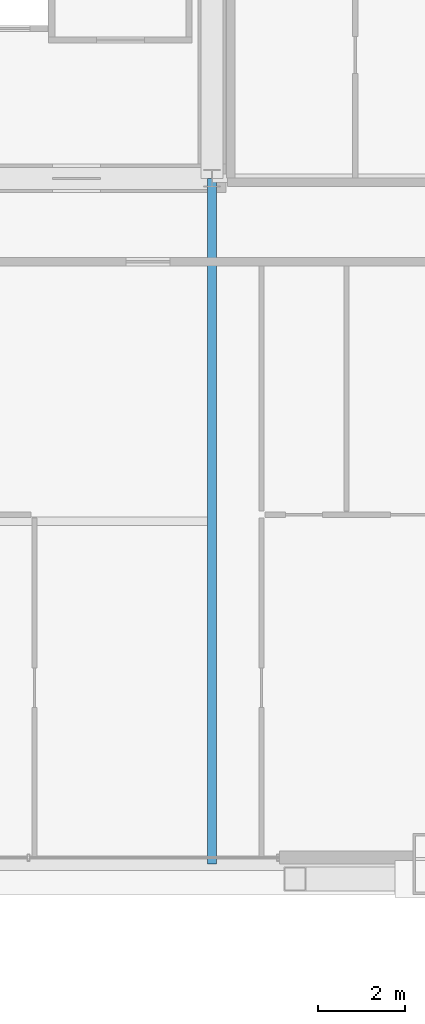
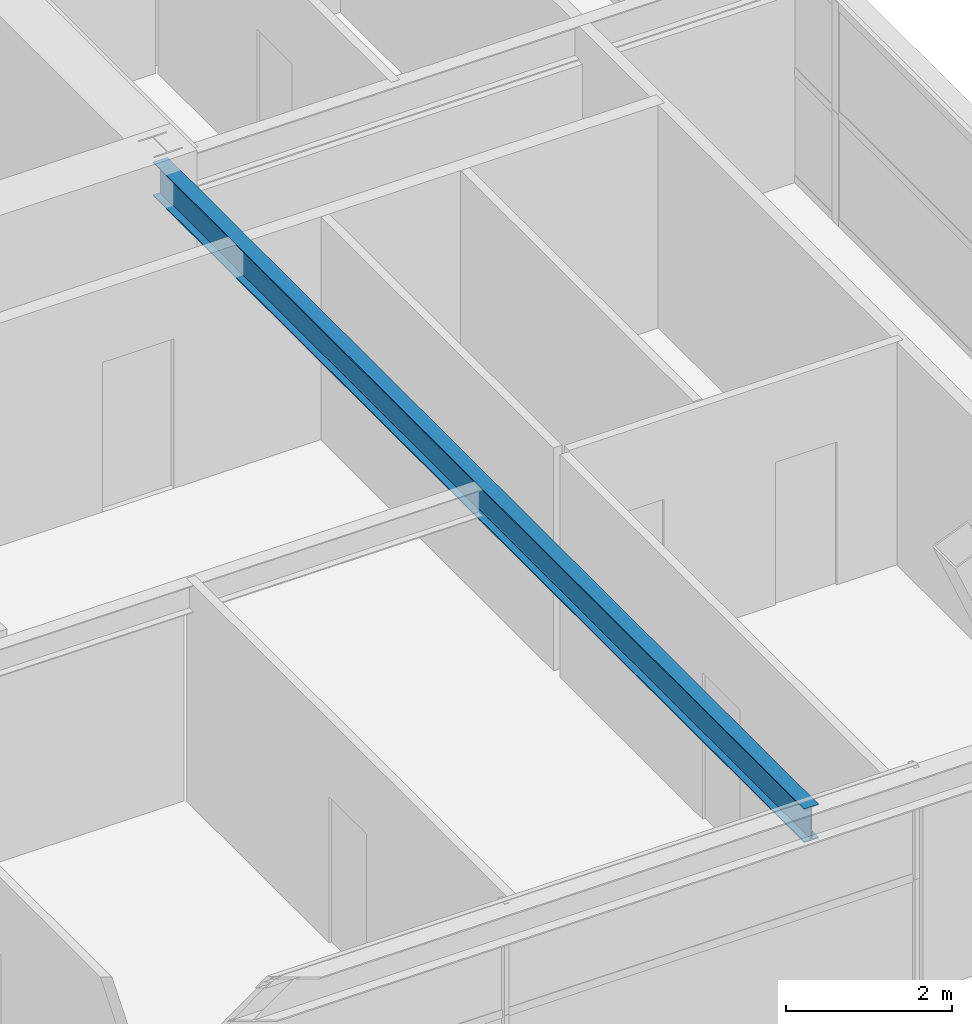
# One storey, part 21 of 45: 1 beam.
"""IFC4 building model written with IfcOpenShell, lengths in metres."""

import ifcopenshell
import ifcopenshell.guid

model = None  # the IFC model being written
_history = None  # IfcOwnerHistory: only IFC2X3 demands one
_inside = {}  # id of a spatial element -> (the spatial element, [elements in it])
_under = {}  # id of a project, library or spatial element -> (it, [spatial elements below it])
_declared = {}  # id of a project -> (the project, [libraries it declares])
_typed = {}  # id of a type object -> (the type object, [elements of that type])
_made_of = {}  # id of a material, layer set ... -> (it, [elements and type objects made of it])


def new_model(schema):
    """Start an empty IFC model of exactly this schema.

    Asked for "IFC4X3", IfcOpenShell would pick the latest addendum, in which some entities
    have other attributes; the version numbers below select the first issue.
    IFC2X3 requires an IfcOwnerHistory on every rooted entity: one is made here for all.
    """
    global model, _history
    if schema == "IFC4X3":
        model = ifcopenshell.file(schema_version=(4, 3, 0, 0))
    else:
        model = ifcopenshell.file(schema=schema)
    _inside.clear()
    _under.clear()
    _declared.clear()
    _typed.clear()
    _made_of.clear()
    _history = None
    if model.schema == "IFC2X3":
        org = make("IfcOrganization", Name="unknown")
        user = make(
            "IfcPersonAndOrganization",
            ThePerson=make("IfcPerson", FamilyName="unknown"),
            TheOrganization=org,
        )
        app = make(
            "IfcApplication",
            ApplicationDeveloper=org,
            Version="unknown",
            ApplicationFullName="unknown",
            ApplicationIdentifier="unknown",
        )
        _history = make(
            "IfcOwnerHistory",
            OwningUser=user,
            OwningApplication=app,
            ChangeAction="ADDED",
            CreationDate=0,
        )
    return model


def make(cls, **values):
    """One entity of the class cls with the attributes given. An attribute that is None is left unset."""
    return model.create_entity(
        cls, **{name: value for name, value in values.items() if value is not None}
    )


def rooted(cls, **values):
    """An entity with a GlobalId (a new one), such as an element, a storey or a relation."""
    return make(cls, GlobalId=ifcopenshell.guid.new(), OwnerHistory=_history, **values)


def si_unit(unit_type, name, prefix=None):
    """IfcSIUnit, for example si_unit("LENGTHUNIT", "METRE", prefix="MILLI")."""
    return make("IfcSIUnit", UnitType=unit_type, Prefix=prefix, Name=name)


def assignment(units):
    """IfcUnitAssignment: the units of a project."""
    return None if units is None else make("IfcUnitAssignment", Units=units)


def point(xyz):
    """IfcCartesianPoint."""
    return None if xyz is None else make("IfcCartesianPoint", Coordinates=xyz)


def direction(xyz):
    """IfcDirection."""
    return None if xyz is None else make("IfcDirection", DirectionRatios=xyz)


def frame(location, z_axis=None, x_axis=None):
    """IfcAxis2Placement3D, a coordinate frame: its origin and axes. An axis left out is left unset."""
    return make(
        "IfcAxis2Placement3D",
        Location=point(location),
        Axis=direction(z_axis),
        RefDirection=direction(x_axis),
    )


def frame_2d(location, x_axis=None):
    """IfcAxis2Placement2D, a coordinate frame in the plane: its origin and x axis."""
    return make(
        "IfcAxis2Placement2D", Location=point(location), RefDirection=direction(x_axis)
    )


def origin():
    """The frame at (0, 0, 0) with its axes left unset."""
    return frame((0.0, 0.0, 0.0))


def origin_2d():
    """The frame at (0, 0) in the plane with its x axis left unset."""
    return frame_2d((0.0, 0.0))


def place(relative_to, where):
    """IfcLocalPlacement: puts the frame where relative to a parent placement (None: the world)."""
    return make(
        "IfcLocalPlacement", PlacementRelTo=relative_to, RelativePlacement=where
    )


def context(
    kind, dimensions, precision=None, world=None, true_north=None, identifier=None
):
    """IfcGeometricRepresentationContext, for example the 3D "Model" context."""
    return make(
        "IfcGeometricRepresentationContext",
        ContextIdentifier=identifier,
        ContextType=kind,
        CoordinateSpaceDimension=dimensions,
        Precision=precision,
        WorldCoordinateSystem=world,
        TrueNorth=true_north,
    )


def subcontext(parent, identifier, kind, view, scale=None):
    """IfcGeometricRepresentationSubContext, for example "Body" below "Model"."""
    return make(
        "IfcGeometricRepresentationSubContext",
        ContextIdentifier=identifier,
        ContextType=kind,
        ParentContext=parent,
        TargetScale=scale,
        TargetView=view,
    )


def project(units=None, contexts=None):
    """IfcProject with its units and contexts."""
    return rooted(
        "IfcProject",
        Name="project",
        RepresentationContexts=contexts,
        UnitsInContext=assignment(units),
    )


def spatial(cls, under=None, at=None, **own):
    """A site, building, storey or space (cls), placed at a placement, below another one or the project."""
    s = rooted(cls, ObjectPlacement=at, **own)
    if under is not None:
        _under.setdefault(under.id(), (under, []))[1].append(s)
    return s


def profile(cls, at=None, kind="AREA", **sizes):
    """A parametric profile (cls). Its sizes go by their IFC names, for example OverallWidth=200.0."""
    return make(cls, ProfileType=kind, Position=at, **sizes)


def i_section(**sizes):
    """IfcIShapeProfileDef."""
    return profile("IfcIShapeProfileDef", **sizes)


def extrude(swept, where, along, depth):
    """IfcExtrudedAreaSolid: the profile swept, set in the frame where, extruded along a direction by depth."""
    return make(
        "IfcExtrudedAreaSolid",
        SweptArea=swept,
        Position=where,
        ExtrudedDirection=direction(along),
        Depth=depth,
    )


def shape(context_of_items, identifier, shape_type, items):
    """IfcShapeRepresentation: the items that make up one representation, for example the "Body"."""
    return make(
        "IfcShapeRepresentation",
        ContextOfItems=context_of_items,
        RepresentationIdentifier=identifier,
        RepresentationType=shape_type,
        Items=items,
    )


def source(mapping_origin, context_of_items, identifier, shape_type, items):
    """IfcRepresentationMap: a shape defined once, which mapped items show again and again."""
    return make(
        "IfcRepresentationMap",
        MappingOrigin=mapping_origin,
        MappedRepresentation=shape(context_of_items, identifier, shape_type, items),
    )


def transform(
    local_origin,
    x_axis=None,
    y_axis=None,
    z_axis=None,
    scale=None,
    scale2=None,
    scale3=None,
    uniform=True,
):
    """IfcCartesianTransformationOperator3D, or its non-uniform kind. x_axis, y_axis, z_axis: its Axis1, 2, 3."""
    if uniform:
        return make(
            "IfcCartesianTransformationOperator3D",
            Axis1=direction(x_axis),
            Axis2=direction(y_axis),
            LocalOrigin=point(local_origin),
            Scale=scale,
            Axis3=direction(z_axis),
        )
    return make(
        "IfcCartesianTransformationOperator3DnonUniform",
        Axis1=direction(x_axis),
        Axis2=direction(y_axis),
        LocalOrigin=point(local_origin),
        Scale=scale,
        Axis3=direction(z_axis),
        Scale2=scale2,
        Scale3=scale3,
    )


def mapped(mapping_source, mapping_target):
    """IfcMappedItem: shows the shape of a source again, moved by a transform."""
    return make(
        "IfcMappedItem", MappingSource=mapping_source, MappingTarget=mapping_target
    )


def material(Name=None, Category=None):
    """IfcMaterial."""
    return make("IfcMaterial", Name=Name, Category=Category)


def material_profile(
    of_material, cross_section, Name=None, Category=None, Priority=None
):
    """IfcMaterialProfile: a cross section and its material."""
    return make(
        "IfcMaterialProfile",
        Name=Name,
        Material=of_material,
        Profile=cross_section,
        Priority=Priority,
        Category=Category,
    )


def profile_set(profiles, Name=None, composite=None):
    """IfcMaterialProfileSet."""
    return make(
        "IfcMaterialProfileSet",
        Name=Name,
        MaterialProfiles=profiles,
        CompositeProfile=composite,
    )


def made_of(thing, what):
    """Note that an element or type object is made of a material, layer set ...; save() writes the relation."""
    if what is not None:
        _made_of.setdefault(what.id(), (what, []))[1].append(thing)
    return thing


def type_object(cls, material=None, **own):
    """A type object (cls), such as IfcWallType, which elements share."""
    return made_of(rooted(cls, **own), material)


def element(
    cls,
    number,
    at=None,
    inside=None,
    cuts=None,
    type_object=None,
    material=None,
    context=None,
    identifier="Body",
    shape_type=None,
    held_by="IfcProductDefinitionShape",
    body=None,
    shapes=None,
    **own,
):
    """One element of the class cls, such as IfcWall. Its Tag is "e" and its number.

    at: its placement. inside: the storey or other place that contains it. cuts: it is an
    opening in that element (IfcRelVoidsElement). A single representation is given by context,
    identifier, shape_type and body (its items); several are given by shapes. held_by: the class
    of the entity that holds the representations. save() writes the other relations.
    """
    e = rooted(cls, Tag="e%d" % number, ObjectPlacement=at, **own)
    if body is not None:
        shapes = [shape(context, identifier, shape_type, body)]
    if shapes is not None:
        e.Representation = make(held_by, Representations=shapes)
    if inside is not None:
        _inside.setdefault(inside.id(), (inside, []))[1].append(e)
    if cuts is not None:
        rooted(
            "IfcRelVoidsElement", RelatingBuildingElement=cuts, RelatedOpeningElement=e
        )
    if type_object is not None:
        _typed.setdefault(type_object.id(), (type_object, []))[1].append(e)
    return made_of(e, material)


def aggregate(whole, parts):
    """IfcRelAggregates: a whole, such as a stair, and the parts it consists of."""
    return rooted("IfcRelAggregates", RelatingObject=whole, RelatedObjects=parts)


def save(model, path):
    """Write the relations noted so far, then the file.

    IfcRelAggregates (storeys below a building ...), IfcRelContainedInSpatialStructure (elements
    in a storey), IfcRelDefinesByType, IfcRelAssociatesMaterial and IfcRelDeclares: one each for
    every whole, place, type object, material and project.
    """
    for whole, parts in _under.values():
        aggregate(whole, parts)
    for where, things in _inside.values():
        rooted(
            "IfcRelContainedInSpatialStructure",
            RelatedElements=things,
            RelatingStructure=where,
        )
    for kind, things in _typed.values():
        rooted("IfcRelDefinesByType", RelatedObjects=things, RelatingType=kind)
    for what, things in _made_of.values():
        rooted("IfcRelAssociatesMaterial", RelatedObjects=things, RelatingMaterial=what)
    for by, libraries in _declared.values():
        rooted("IfcRelDeclares", RelatingContext=by, RelatedDefinitions=libraries)
    model.write(path)


model = new_model("IFC4")

# Units and contexts
model_context = context("Model", 3, precision=1e-05, world=origin(), true_north=direction((0.0, 1.0)))
body_context = subcontext(model_context, "Body", "Model", "MODEL_VIEW")
ifc_project = project(units=[si_unit("LENGTHUNIT", "METRE"), si_unit("AREAUNIT", "SQUARE_METRE"), si_unit("VOLUMEUNIT", "CUBIC_METRE"), si_unit("PLANEANGLEUNIT", "RADIAN"), si_unit("MASSUNIT", "GRAM", prefix="KILO"), si_unit("THERMODYNAMICTEMPERATUREUNIT", "KELVIN"), si_unit("POWERUNIT", "WATT")], contexts=[model_context])

# Site, building, storey
site_placement = place(None, origin())
site = spatial("IfcSite", under=ifc_project, at=site_placement, CompositionType="ELEMENT")
building_placement = place(site_placement, origin())
building = spatial("IfcBuilding", under=site, at=building_placement, Name="Yuzanri Waterfront Tower", CompositionType="ELEMENT")
storey_placement = place(building_placement, frame((0.0, 0.0, 198.5)))
storey = spatial("IfcBuildingStorey", under=building, at=storey_placement, Name="L52", CompositionType="ELEMENT", Elevation=198.5)

# Beam
ifc_material = material(Name="Steel Q355B", Category="steel")
ifc_material_profile = material_profile(ifc_material, i_section(OverallWidth=0.199951171875, OverallDepth=0.5, WebThickness=0.010009765625, FlangeThickness=0.01611328125, at=origin_2d()), Name="HN 500x200x10x16")
ifc_profile_set = profile_set([ifc_material_profile], Name="Steel Q355B")
beam_type = type_object("IfcBeamType", Name="Secondary Floor Beam Q355B HN 500x200", PredefinedType="BEAM", material=ifc_profile_set)
shared_shape = source(origin(), body_context, "Body", "SweptSolid", [
    extrude(i_section(OverallWidth=0.199951171875, OverallDepth=0.5, WebThickness=0.010009765625, FlangeThickness=0.01611328125, at=origin_2d()), origin(), (0.0, 0.0, 1.0), 15.699951171875),
])
beam_placement = place(storey_placement, frame((50.199951171875, 19.39990234375, 3.030029296875), z_axis=(0.0, -1.0, 0.0), x_axis=(1.0, 0.0, 0.0)))
element("IfcBeam", 1, at=beam_placement, inside=storey, type_object=beam_type, Name="L52 South-East Core Line Beam", PredefinedType="BEAM", context=body_context, shape_type="MappedRepresentation", body=[
    mapped(shared_shape, transform((0.0, 0.0, 0.0), scale=1.0)),
])

save(model, "model.ifc")
